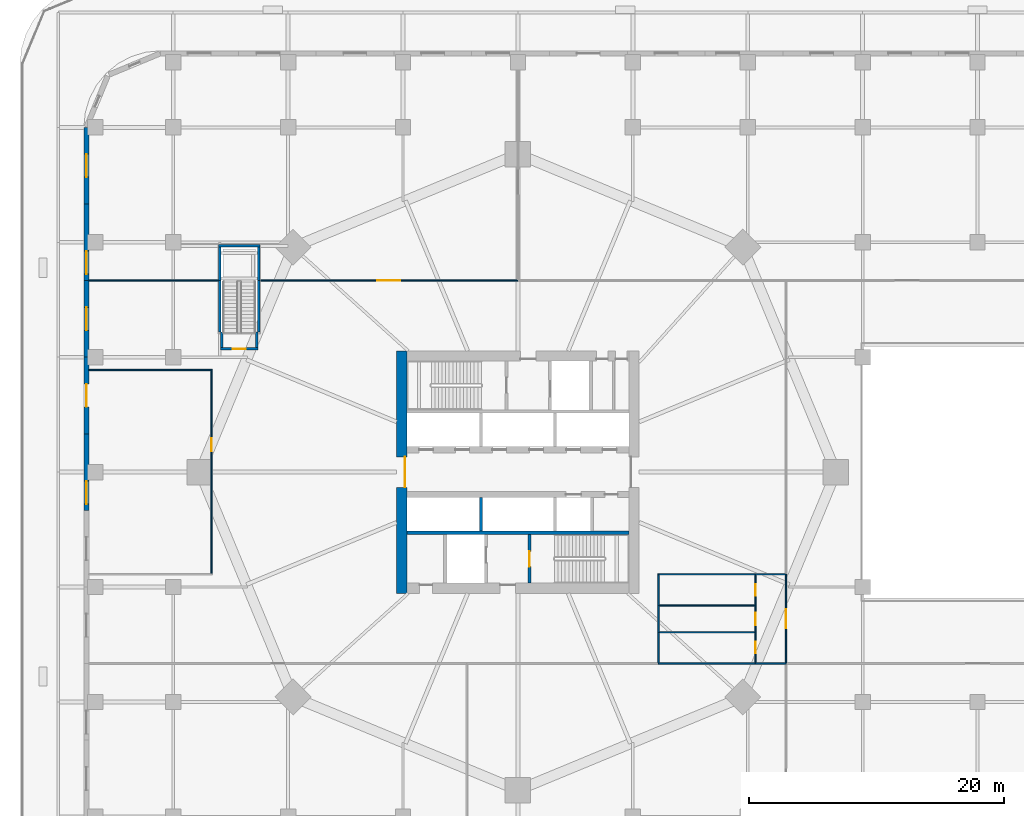
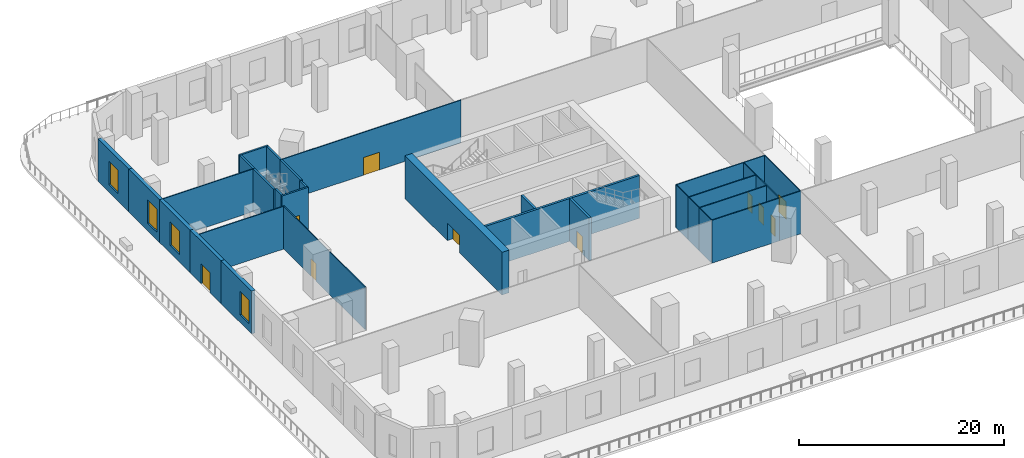
# One storey, part 5 of 20: 34 walls, 10 doors, 4 windows, 14 openings.
"""IFC4 building model written with IfcOpenShell, lengths in metres."""

from ifc_helpers import new_model, si_unit, direction, frame, frame_2d, origin, place, context, subcontext, project, spatial, rectangle, extrude, material, layer, layer_set, type_object, element, fill, save


model = new_model("IFC4")

# Units and contexts
model_context = context("Model", 3, precision=1e-05, world=origin(), true_north=direction((0.0, 1.0)))
body_context = subcontext(model_context, "Body", "Model", "MODEL_VIEW")
ifc_project = project(units=[si_unit("LENGTHUNIT", "METRE"), si_unit("AREAUNIT", "SQUARE_METRE"), si_unit("VOLUMEUNIT", "CUBIC_METRE"), si_unit("PLANEANGLEUNIT", "RADIAN"), si_unit("MASSUNIT", "GRAM", prefix="KILO")], contexts=[model_context])

# Site, building, storey
site_placement = place(None, origin())
site = spatial("IfcSite", under=ifc_project, at=site_placement, CompositionType="ELEMENT")
building_placement = place(site_placement, origin())
building = spatial("IfcBuilding", under=site, at=building_placement, Name="Ogive Gate Towers", CompositionType="ELEMENT")
storey_placement = place(building_placement, frame((0.0, 0.0, 7.199951171875)))
storey = spatial("IfcBuildingStorey", under=building, at=storey_placement, Name="L01", CompositionType="ELEMENT", Elevation=7.199951171875)

# Wall, opening, door
ifc_material_1 = material(Name="Concrete C60/75", Category="concrete")
ifc_layer_1 = layer(ifc_material_1, 0.800048828125)
ifc_layer_set_1 = layer_set([ifc_layer_1], Name="Core wall 800 mm")
wall_type_1 = type_object("IfcWallType", Name="Core wall 800 mm", PredefinedType="SHEAR", material=ifc_layer_set_1)
wall_1_placement = place(storey_placement, frame((-45.10009765625, -9.5, 0.0), z_axis=(0.0, 0.0, 1.0), x_axis=(0.0, 1.0, 0.0)))
wall_1 = element("IfcWall", 1, at=wall_1_placement, inside=storey, type_object=wall_type_1, Name="T1 L01 Core wall 800 mm", PredefinedType="SHEAR", context=body_context, shape_type="SweptSolid", body=[
    extrude(rectangle(XDim=19.0, YDim=0.800048828125, at=frame_2d((9.5, 0.0))), origin(), (0.0, 0.0, 1.0), 5.10009765625),
])
opening_1_placement = place(wall_1_placement, frame((8.300048828125, 0.0, 0.0)))
opening_1 = element("IfcOpeningElement", 2, at=opening_1_placement, cuts=wall_1, Name="Opening KD-T1-L01-01", PredefinedType="OPENING", context=body_context, shape_type="SweptSolid", body=[
    extrude(rectangle(XDim=2.39990234375, YDim=2.10009765625, at=frame_2d((1.199951171875, 1.050048828125))), frame((0.0, 0.41015625, 0.0), z_axis=(0.0, -1.0, 0.0), x_axis=(1.0, 0.0, 0.0)), (0.0, 0.0, 1.0), 0.820068359375),
])
ifc_material_2 = material(Name="Steel fire door", Category="steel")
door_type_1 = type_object("IfcDoorType", Name="Core double door FD60S 2400 x 2100", OperationType="DOUBLE_DOOR_SINGLE_SWING", PredefinedType="DOOR", material=ifc_material_2)
door_1_placement = place(opening_1_placement, origin())
door_1 = element("IfcDoor", 3, at=door_1_placement, inside=storey, type_object=door_type_1, Name="T1 L01 Core door double", OperationType="DOUBLE_DOOR_SINGLE_SWING", OverallHeight=2.10009765625, OverallWidth=2.39990234375, PredefinedType="DOOR", context=body_context, shape_type="SweptSolid", body=[
    extrude(rectangle(XDim=2.39990234375, YDim=2.10009765625, at=frame_2d((1.199951171875, 1.050048828125))), frame((0.0, -0.22509765625, 0.0), z_axis=(0.0, -1.0, 0.0), x_axis=(1.0, 0.0, 0.0)), (0.0, 0.0, 1.0), 0.050048828125),
])
fill(opening_1, door_1)

# Wall
ifc_material_3 = material(Name="Gypsum board partition")
ifc_layer_2 = layer(ifc_material_3, 0.10009765625)
ifc_layer_set_2 = layer_set([ifc_layer_2], Name="Partition wall 100")
wall_type_2 = type_object("IfcWallType", Name="Partition wall 100", PredefinedType="PARTITIONING", material=ifc_layer_set_2)
wall_2_placement = place(storey_placement, frame((-69.60009765625, 15.0, 0.0), z_axis=(0.0, 0.0, 1.0), x_axis=(1.0, 0.0, 0.0)))
element("IfcWall", 4, at=wall_2_placement, inside=storey, type_object=wall_type_2, Name="L01 partition 023", PredefinedType="PARTITIONING", context=body_context, shape_type="SweptSolid", body=[
    extrude(rectangle(XDim=10.150146484375, YDim=0.10009765625, at=frame_2d((5.0751953125, 0.0))), origin(), (0.0, 0.0, 1.0), 5.10009765625),
])

# Wall, opening, door
wall_3_placement = place(storey_placement, frame((-56.199951171875, 15.0, 0.0), z_axis=(0.0, 0.0, 1.0), x_axis=(1.0, 0.0, 0.0)))
wall_3 = element("IfcWall", 5, at=wall_3_placement, inside=storey, type_object=wall_type_2, Name="L01 partition 024", PredefinedType="PARTITIONING", context=body_context, shape_type="SweptSolid", body=[
    extrude(rectangle(XDim=20.199951171875, YDim=0.10009765625, at=frame_2d((10.10009765625, 0.0))), origin(), (0.0, 0.0, 1.0), 5.10009765625),
])
opening_2_placement = place(wall_3_placement, frame((9.199951171875, 0.0, 0.0)))
opening_2 = element("IfcOpeningElement", 6, at=opening_2_placement, cuts=wall_3, Name="Opening PO152", PredefinedType="OPENING", context=body_context, shape_type="SweptSolid", body=[
    extrude(rectangle(XDim=1.800048828125, YDim=2.10009765625, at=frame_2d((0.89990234375, 1.050048828125))), frame((0.0, 0.06005859375, 0.0), z_axis=(0.0, -1.0, 0.0), x_axis=(1.0, 0.0, 0.0)), (0.0, 0.0, 1.0), 0.1201171875),
])
ifc_material_4 = material(Name="Timber door", Category="wood")
door_type_2 = type_object("IfcDoorType", Name="Double door 1800 x 2100", OperationType="NOTDEFINED", PredefinedType="DOOR", material=ifc_material_4)
door_2_placement = place(opening_2_placement, origin())
door_2 = element("IfcDoor", 7, at=door_2_placement, inside=storey, type_object=door_type_2, Name="Door PO152", OperationType="DOUBLE_DOOR_DOUBLE_SWING", OverallHeight=2.10009765625, OverallWidth=1.800048828125, PredefinedType="DOOR", context=body_context, shape_type="SweptSolid", body=[
    extrude(rectangle(XDim=1.800048828125, YDim=2.10009765625, at=frame_2d((0.89990234375, 1.050048828125))), frame((0.0, 0.02490234375, 0.0), z_axis=(0.0, -1.0, 0.0), x_axis=(1.0, 0.0, 0.0)), (0.0, 0.0, 1.0), 0.050048828125),
])
fill(opening_2, door_2)

wall_4_placement = place(storey_placement, frame((-15.0, -14.949951171875, 0.0), z_axis=(0.0, 0.0, 1.0), x_axis=(0.0, 1.0, 0.0)))
wall_4 = element("IfcWall", 8, at=wall_4_placement, inside=storey, type_object=wall_type_2, Name="L01 partition 029", PredefinedType="PARTITIONING", context=body_context, shape_type="SweptSolid", body=[
    extrude(rectangle(XDim=6.949951171875, YDim=0.10009765625, at=frame_2d((3.47509765625, 0.0))), origin(), (0.0, 0.0, 1.0), 5.10009765625),
])
opening_3_placement = place(wall_4_placement, frame((2.72509765625, 0.0, 0.0)))
opening_3 = element("IfcOpeningElement", 9, at=opening_3_placement, cuts=wall_4, Name="Opening PO147", PredefinedType="OPENING", context=body_context, shape_type="SweptSolid", body=[
    extrude(rectangle(XDim=1.5, YDim=2.10009765625, at=frame_2d((0.75, 1.050048828125))), frame((0.0, 0.06005859375, 0.0), z_axis=(0.0, -1.0, 0.0), x_axis=(1.0, 0.0, 0.0)), (0.0, 0.0, 1.0), 0.1201171875),
])
door_type_3 = type_object("IfcDoorType", Name="Double door 1500 x 2100", OperationType="NOTDEFINED", PredefinedType="DOOR", material=ifc_material_4)
door_3_placement = place(opening_3_placement, origin())
door_3 = element("IfcDoor", 10, at=door_3_placement, inside=storey, type_object=door_type_3, Name="Door PO147", OperationType="DOUBLE_DOOR_DOUBLE_SWING", OverallHeight=2.10009765625, OverallWidth=1.5, PredefinedType="DOOR", context=body_context, shape_type="SweptSolid", body=[
    extrude(rectangle(XDim=1.5, YDim=2.10009765625, at=frame_2d((0.75, 1.050048828125))), frame((0.0, 0.02490234375, 0.0), z_axis=(0.0, -1.0, 0.0), x_axis=(1.0, 0.0, 0.0)), (0.0, 0.0, 1.0), 0.050048828125),
])
fill(opening_3, door_3)

# Walls
wall_5_placement = place(storey_placement, frame((-17.39990234375, -15.0, 0.0), z_axis=(0.0, 0.0, 1.0), x_axis=(1.0, 0.0, 0.0)))
element("IfcWall", 11, at=wall_5_placement, inside=storey, type_object=wall_type_2, Name="L01 partition 037", PredefinedType="PARTITIONING", context=body_context, shape_type="SweptSolid", body=[
    extrude(rectangle(XDim=2.39990234375, YDim=0.10009765625, at=frame_2d((1.199951171875, 0.0))), origin(), (0.0, 0.0, 1.0), 5.10009765625),
])
wall_6_placement = place(storey_placement, frame((-25.0, -15.0, 0.0), z_axis=(0.0, 0.0, 1.0), x_axis=(1.0, 0.0, 0.0)))
element("IfcWall", 12, at=wall_6_placement, inside=storey, type_object=wall_type_2, Name="L01 partition 038", PredefinedType="PARTITIONING", context=body_context, shape_type="SweptSolid", body=[
    extrude(rectangle(XDim=7.60009765625, YDim=0.10009765625, at=frame_2d((3.800048828125, 0.0))), origin(), (0.0, 0.0, 1.0), 5.10009765625),
])
wall_7_placement = place(storey_placement, frame((-69.60009765625, 8.0, 0.0), z_axis=(0.0, 0.0, 1.0), x_axis=(1.0, 0.0, 0.0)))
element("IfcWall", 13, at=wall_7_placement, inside=storey, type_object=wall_type_2, Name="L01 partition 045", PredefinedType="PARTITIONING", context=body_context, shape_type="SweptSolid", body=[
    extrude(rectangle(XDim=9.650146484375, YDim=0.10009765625, at=frame_2d((4.8251953125, 0.0))), origin(), (0.0, 0.0, 1.0), 5.10009765625),
])

# Wall, opening, door
wall_8_placement = place(storey_placement, frame((-60.0, -7.949951171875, 0.0), z_axis=(0.0, 0.0, 1.0), x_axis=(0.0, 1.0, 0.0)))
wall_8 = element("IfcWall", 14, at=wall_8_placement, inside=storey, type_object=wall_type_2, Name="L01 partition 046", PredefinedType="PARTITIONING", context=body_context, shape_type="SweptSolid", body=[
    extrude(rectangle(XDim=15.89990234375, YDim=0.10009765625, at=frame_2d((7.949951171875, 0.0))), origin(), (0.0, 0.0, 1.0), 5.10009765625),
])
opening_4_placement = place(wall_8_placement, frame((9.594970703125, 0.0, 0.0)))
opening_4 = element("IfcOpeningElement", 15, at=opening_4_placement, cuts=wall_8, Name="Opening PO145", PredefinedType="OPENING", context=body_context, shape_type="SweptSolid", body=[
    extrude(rectangle(XDim=1.0, YDim=2.10009765625, at=frame_2d((0.5, 1.050048828125))), frame((0.0, 0.06005859375, 0.0), z_axis=(0.0, -1.0, 0.0), x_axis=(1.0, 0.0, 0.0)), (0.0, 0.0, 1.0), 0.1201171875),
])
door_type_4 = type_object("IfcDoorType", Name="Door 1000 x 2100", OperationType="NOTDEFINED", PredefinedType="DOOR", material=ifc_material_4)
door_4_placement = place(opening_4_placement, origin())
door_4 = element("IfcDoor", 16, at=door_4_placement, inside=storey, type_object=door_type_4, Name="Door PO145", OperationType="SINGLE_SWING_LEFT", OverallHeight=2.10009765625, OverallWidth=1.0, PredefinedType="DOOR", context=body_context, shape_type="SweptSolid", body=[
    extrude(rectangle(XDim=1.0, YDim=2.10009765625, at=frame_2d((0.5, 1.050048828125))), frame((0.0, 0.02490234375, 0.0), z_axis=(0.0, -1.0, 0.0), x_axis=(1.0, 0.0, 0.0)), (0.0, 0.0, 1.0), 0.050048828125),
])
fill(opening_4, door_4)

wall_9_placement = place(storey_placement, frame((-17.39990234375, -14.949951171875, 0.0), z_axis=(0.0, 0.0, 1.0), x_axis=(0.0, 1.0, 0.0)))
wall_9 = element("IfcWall", 17, at=wall_9_placement, inside=storey, type_object=wall_type_2, Name="L01 partition 050", PredefinedType="PARTITIONING", context=body_context, shape_type="SweptSolid", body=[
    extrude(rectangle(XDim=2.39990234375, YDim=0.10009765625, at=frame_2d((1.199951171875, 0.0))), origin(), (0.0, 0.0, 1.0), 5.10009765625),
])
opening_5_placement = place(wall_9_placement, frame((0.75, 0.0, 0.0)))
opening_5 = element("IfcOpeningElement", 18, at=opening_5_placement, cuts=wall_9, Name="Opening PO148", PredefinedType="OPENING", context=body_context, shape_type="SweptSolid", body=[
    extrude(rectangle(XDim=0.89990234375, YDim=2.10009765625, at=frame_2d((0.449951171875, 1.050048828125))), frame((0.0, 0.06005859375, 0.0), z_axis=(0.0, -1.0, 0.0), x_axis=(1.0, 0.0, 0.0)), (0.0, 0.0, 1.0), 0.1201171875),
])
door_type_5 = type_object("IfcDoorType", Name="Door 900 x 2100", OperationType="NOTDEFINED", PredefinedType="DOOR", material=ifc_material_4)
door_5_placement = place(opening_5_placement, origin())
door_5 = element("IfcDoor", 19, at=door_5_placement, inside=storey, type_object=door_type_5, Name="Door PO148", OperationType="SINGLE_SWING_RIGHT", OverallHeight=2.10009765625, OverallWidth=0.89990234375, PredefinedType="DOOR", context=body_context, shape_type="SweptSolid", body=[
    extrude(rectangle(XDim=0.89990234375, YDim=2.10009765625, at=frame_2d((0.449951171875, 1.050048828125))), frame((0.0, 0.02490234375, 0.0), z_axis=(0.0, -1.0, 0.0), x_axis=(1.0, 0.0, 0.0)), (0.0, 0.0, 1.0), 0.050048828125),
])
fill(opening_5, door_5)

wall_10_placement = place(storey_placement, frame((-17.39990234375, -12.550048828125, 0.0), z_axis=(0.0, 0.0, 1.0), x_axis=(0.0, 1.0, 0.0)))
wall_10 = element("IfcWall", 20, at=wall_10_placement, inside=storey, type_object=wall_type_2, Name="L01 partition 051", PredefinedType="PARTITIONING", context=body_context, shape_type="SweptSolid", body=[
    extrude(rectangle(XDim=2.10009765625, YDim=0.10009765625, at=frame_2d((1.050048828125, 0.0))), origin(), (0.0, 0.0, 1.0), 5.10009765625),
])
opening_6_placement = place(wall_10_placement, frame((0.550048828125, 0.0, 0.0)))
opening_6 = element("IfcOpeningElement", 21, at=opening_6_placement, cuts=wall_10, Name="Opening PO149", PredefinedType="OPENING", context=body_context, shape_type="SweptSolid", body=[
    extrude(rectangle(XDim=1.0, YDim=2.10009765625, at=frame_2d((0.5, 1.050048828125))), frame((0.0, 0.06005859375, 0.0), z_axis=(0.0, -1.0, 0.0), x_axis=(1.0, 0.0, 0.0)), (0.0, 0.0, 1.0), 0.1201171875),
])
door_6_placement = place(opening_6_placement, origin())
door_6 = element("IfcDoor", 22, at=door_6_placement, inside=storey, type_object=door_type_4, Name="Door PO149", OperationType="SINGLE_SWING_LEFT", OverallHeight=2.10009765625, OverallWidth=1.0, PredefinedType="DOOR", context=body_context, shape_type="SweptSolid", body=[
    extrude(rectangle(XDim=1.0, YDim=2.10009765625, at=frame_2d((0.5, 1.050048828125))), frame((0.0, 0.02490234375, 0.0), z_axis=(0.0, -1.0, 0.0), x_axis=(1.0, 0.0, 0.0)), (0.0, 0.0, 1.0), 0.050048828125),
])
fill(opening_6, door_6)

wall_11_placement = place(storey_placement, frame((-17.39990234375, -10.449951171875, 0.0), z_axis=(0.0, 0.0, 1.0), x_axis=(0.0, 1.0, 0.0)))
wall_11 = element("IfcWall", 23, at=wall_11_placement, inside=storey, type_object=wall_type_2, Name="L01 partition 052", PredefinedType="PARTITIONING", context=body_context, shape_type="SweptSolid", body=[
    extrude(rectangle(XDim=2.39990234375, YDim=0.10009765625, at=frame_2d((1.199951171875, 0.0))), origin(), (0.0, 0.0, 1.0), 5.10009765625),
])
opening_7_placement = place(wall_11_placement, frame((0.75, 0.0, 0.0)))
opening_7 = element("IfcOpeningElement", 24, at=opening_7_placement, cuts=wall_11, Name="Opening PO150", PredefinedType="OPENING", context=body_context, shape_type="SweptSolid", body=[
    extrude(rectangle(XDim=0.89990234375, YDim=2.10009765625, at=frame_2d((0.449951171875, 1.050048828125))), frame((0.0, 0.06005859375, 0.0), z_axis=(0.0, -1.0, 0.0), x_axis=(1.0, 0.0, 0.0)), (0.0, 0.0, 1.0), 0.1201171875),
])
door_7_placement = place(opening_7_placement, origin())
door_7 = element("IfcDoor", 25, at=door_7_placement, inside=storey, type_object=door_type_5, Name="Door PO150", OperationType="SINGLE_SWING_RIGHT", OverallHeight=2.10009765625, OverallWidth=0.89990234375, PredefinedType="DOOR", context=body_context, shape_type="SweptSolid", body=[
    extrude(rectangle(XDim=0.89990234375, YDim=2.10009765625, at=frame_2d((0.449951171875, 1.050048828125))), frame((0.0, 0.02490234375, 0.0), z_axis=(0.0, -1.0, 0.0), x_axis=(1.0, 0.0, 0.0)), (0.0, 0.0, 1.0), 0.050048828125),
])
fill(opening_7, door_7)

# Walls
wall_12_placement = place(storey_placement, frame((-17.39990234375, -8.0, 0.0), z_axis=(0.0, 0.0, 1.0), x_axis=(1.0, 0.0, 0.0)))
element("IfcWall", 26, at=wall_12_placement, inside=storey, type_object=wall_type_2, Name="L01 partition 053", PredefinedType="PARTITIONING", context=body_context, shape_type="SweptSolid", body=[
    extrude(rectangle(XDim=2.349853515625, YDim=0.10009765625, at=frame_2d((1.1748046875, 0.0))), origin(), (0.0, 0.0, 1.0), 5.10009765625),
])
wall_13_placement = place(storey_placement, frame((-24.949951171875, -12.550048828125, 0.0), z_axis=(0.0, 0.0, 1.0), x_axis=(1.0, 0.0, 0.0)))
element("IfcWall", 27, at=wall_13_placement, inside=storey, type_object=wall_type_2, Name="L01 partition 054", PredefinedType="PARTITIONING", context=body_context, shape_type="SweptSolid", body=[
    extrude(rectangle(XDim=7.5, YDim=0.10009765625, at=frame_2d((3.75, 0.0))), origin(), (0.0, 0.0, 1.0), 5.10009765625),
])
wall_14_placement = place(storey_placement, frame((-25.0, -14.949951171875, 0.0), z_axis=(0.0, 0.0, 1.0), x_axis=(0.0, 1.0, 0.0)))
element("IfcWall", 28, at=wall_14_placement, inside=storey, type_object=wall_type_2, Name="L01 partition 055", PredefinedType="PARTITIONING", context=body_context, shape_type="SweptSolid", body=[
    extrude(rectangle(XDim=2.39990234375, YDim=0.10009765625, at=frame_2d((1.199951171875, 0.0))), origin(), (0.0, 0.0, 1.0), 5.10009765625),
])
wall_15_placement = place(storey_placement, frame((-24.949951171875, -10.449951171875, 0.0), z_axis=(0.0, 0.0, 1.0), x_axis=(1.0, 0.0, 0.0)))
element("IfcWall", 29, at=wall_15_placement, inside=storey, type_object=wall_type_2, Name="L01 partition 056", PredefinedType="PARTITIONING", context=body_context, shape_type="SweptSolid", body=[
    extrude(rectangle(XDim=7.5, YDim=0.10009765625, at=frame_2d((3.75, 0.0))), origin(), (0.0, 0.0, 1.0), 5.10009765625),
])
wall_16_placement = place(storey_placement, frame((-25.0, -12.550048828125, 0.0), z_axis=(0.0, 0.0, 1.0), x_axis=(0.0, 1.0, 0.0)))
element("IfcWall", 30, at=wall_16_placement, inside=storey, type_object=wall_type_2, Name="L01 partition 057", PredefinedType="PARTITIONING", context=body_context, shape_type="SweptSolid", body=[
    extrude(rectangle(XDim=2.10009765625, YDim=0.10009765625, at=frame_2d((1.050048828125, 0.0))), origin(), (0.0, 0.0, 1.0), 5.10009765625),
])
wall_17_placement = place(storey_placement, frame((-25.050048828125, -8.0, 0.0), z_axis=(0.0, 0.0, 1.0), x_axis=(1.0, 0.0, 0.0)))
element("IfcWall", 31, at=wall_17_placement, inside=storey, type_object=wall_type_2, Name="L01 partition 058", PredefinedType="PARTITIONING", context=body_context, shape_type="SweptSolid", body=[
    extrude(rectangle(XDim=7.650146484375, YDim=0.10009765625, at=frame_2d((3.8251953125, 0.0))), origin(), (0.0, 0.0, 1.0), 5.10009765625),
])
wall_18_placement = place(storey_placement, frame((-25.0, -10.449951171875, 0.0), z_axis=(0.0, 0.0, 1.0), x_axis=(0.0, 1.0, 0.0)))
element("IfcWall", 32, at=wall_18_placement, inside=storey, type_object=wall_type_2, Name="L01 partition 059", PredefinedType="PARTITIONING", context=body_context, shape_type="SweptSolid", body=[
    extrude(rectangle(XDim=2.39990234375, YDim=0.10009765625, at=frame_2d((1.199951171875, 0.0))), origin(), (0.0, 0.0, 1.0), 5.10009765625),
])

# Wall, opening, window
ifc_material_5 = material(Name="Precast concrete C40/50", Category="concrete")
ifc_layer_3 = layer(ifc_material_5, 0.39990234375)
ifc_layer_set_3 = layer_set([ifc_layer_3], Name="Podium wall 400")
wall_type_3 = type_object("IfcWallType", Name="Podium wall 400", PredefinedType="SOLIDWALL", material=ifc_layer_set_3)
wall_19_placement = place(storey_placement, frame((-69.800048828125, 27.0, 0.0), z_axis=(0.0, 0.0, 1.0), x_axis=(0.0, -1.0, 0.0)))
wall_19 = element("IfcWall", 33, at=wall_19_placement, inside=storey, type_object=wall_type_3, Name="Podium wall", PredefinedType="SOLIDWALL", context=body_context, shape_type="SweptSolid", body=[
    extrude(rectangle(XDim=6.0, YDim=0.39990234375, at=frame_2d((3.0, 0.0))), origin(), (0.0, 0.0, 1.0), 5.10009765625),
])
opening_8_placement = place(wall_19_placement, frame((2.10009765625, 0.0, 0.89990234375)))
opening_8 = element("IfcOpeningElement", 34, at=opening_8_placement, cuts=wall_19, Name="Opening WN1", PredefinedType="OPENING", context=body_context, shape_type="SweptSolid", body=[
    extrude(rectangle(XDim=1.800048828125, YDim=2.800048828125, at=frame_2d((0.89990234375, 1.39990234375))), frame((0.0, 0.2099609375, 0.0), z_axis=(0.0, -1.0, 0.0), x_axis=(1.0, 0.0, 0.0)), (0.0, 0.0, 1.0), 0.419921875),
])
ifc_material_6 = material(Name="Clear glass", Category="glass")
window_type = type_object("IfcWindowType", Name="Podium window 1800 x 2800", PartitioningType="SINGLE_PANEL", PredefinedType="WINDOW", material=ifc_material_6)
window_1_placement = place(opening_8_placement, origin())
window_1 = element("IfcWindow", 35, at=window_1_placement, inside=storey, type_object=window_type, Name="Podium window", OverallHeight=2.800048828125, OverallWidth=1.800048828125, PartitioningType="SINGLE_PANEL", PredefinedType="WINDOW", context=body_context, shape_type="SweptSolid", body=[
    extrude(rectangle(XDim=1.800048828125, YDim=2.800048828125, at=frame_2d((0.89990234375, 1.39990234375))), frame((0.0, 0.030029296875, 0.0), z_axis=(0.0, -1.0, 0.0), x_axis=(1.0, 0.0, 0.0)), (0.0, 0.0, 1.0), 0.06005859375),
])
fill(opening_8, window_1)

wall_20_placement = place(storey_placement, frame((-69.800048828125, 21.0, 0.0), z_axis=(0.0, 0.0, 1.0), x_axis=(0.0, -1.0, 0.0)))
wall_20 = element("IfcWall", 36, at=wall_20_placement, inside=storey, type_object=wall_type_3, Name="Podium wall", PredefinedType="SOLIDWALL", context=body_context, shape_type="SweptSolid", body=[
    extrude(rectangle(XDim=6.0, YDim=0.39990234375, at=frame_2d((3.0, 0.0))), origin(), (0.0, 0.0, 1.0), 5.10009765625),
])
opening_9_placement = place(wall_20_placement, frame((3.699951171875, 0.0, 0.89990234375)))
opening_9 = element("IfcOpeningElement", 37, at=opening_9_placement, cuts=wall_20, Name="Opening WN1", PredefinedType="OPENING", context=body_context, shape_type="SweptSolid", body=[
    extrude(rectangle(XDim=1.800048828125, YDim=2.800048828125, at=frame_2d((0.89990234375, 1.39990234375))), frame((0.0, 0.2099609375, 0.0), z_axis=(0.0, -1.0, 0.0), x_axis=(1.0, 0.0, 0.0)), (0.0, 0.0, 1.0), 0.419921875),
])
window_2_placement = place(opening_9_placement, origin())
window_2 = element("IfcWindow", 38, at=window_2_placement, inside=storey, type_object=window_type, Name="Podium window", OverallHeight=2.800048828125, OverallWidth=1.800048828125, PartitioningType="SINGLE_PANEL", PredefinedType="WINDOW", context=body_context, shape_type="SweptSolid", body=[
    extrude(rectangle(XDim=1.800048828125, YDim=2.800048828125, at=frame_2d((0.89990234375, 1.39990234375))), frame((0.0, 0.030029296875, 0.0), z_axis=(0.0, -1.0, 0.0), x_axis=(1.0, 0.0, 0.0)), (0.0, 0.0, 1.0), 0.06005859375),
])
fill(opening_9, window_2)

wall_21_placement = place(storey_placement, frame((-69.800048828125, 15.0, 0.0), z_axis=(0.0, 0.0, 1.0), x_axis=(0.0, -1.0, 0.0)))
wall_21 = element("IfcWall", 39, at=wall_21_placement, inside=storey, type_object=wall_type_3, Name="Podium wall", PredefinedType="SOLIDWALL", context=body_context, shape_type="SweptSolid", body=[
    extrude(rectangle(XDim=6.0, YDim=0.39990234375, at=frame_2d((3.0, 0.0))), origin(), (0.0, 0.0, 1.0), 5.10009765625),
])
opening_10_placement = place(wall_21_placement, frame((2.10009765625, 0.0, 0.89990234375)))
opening_10 = element("IfcOpeningElement", 40, at=opening_10_placement, cuts=wall_21, Name="Opening WN1", PredefinedType="OPENING", context=body_context, shape_type="SweptSolid", body=[
    extrude(rectangle(XDim=1.800048828125, YDim=2.800048828125, at=frame_2d((0.89990234375, 1.39990234375))), frame((0.0, 0.2099609375, 0.0), z_axis=(0.0, -1.0, 0.0), x_axis=(1.0, 0.0, 0.0)), (0.0, 0.0, 1.0), 0.419921875),
])
window_3_placement = place(opening_10_placement, origin())
window_3 = element("IfcWindow", 41, at=window_3_placement, inside=storey, type_object=window_type, Name="Podium window", OverallHeight=2.800048828125, OverallWidth=1.800048828125, PartitioningType="SINGLE_PANEL", PredefinedType="WINDOW", context=body_context, shape_type="SweptSolid", body=[
    extrude(rectangle(XDim=1.800048828125, YDim=2.800048828125, at=frame_2d((0.89990234375, 1.39990234375))), frame((0.0, 0.030029296875, 0.0), z_axis=(0.0, -1.0, 0.0), x_axis=(1.0, 0.0, 0.0)), (0.0, 0.0, 1.0), 0.06005859375),
])
fill(opening_10, window_3)

# Wall, opening, door
wall_22_placement = place(storey_placement, frame((-69.800048828125, 9.0, 0.0), z_axis=(0.0, 0.0, 1.0), x_axis=(0.0, -1.0, 0.0)))
wall_22 = element("IfcWall", 42, at=wall_22_placement, inside=storey, type_object=wall_type_3, Name="Podium wall", PredefinedType="SOLIDWALL", context=body_context, shape_type="SweptSolid", body=[
    extrude(rectangle(XDim=6.0, YDim=0.39990234375, at=frame_2d((3.0, 0.0))), origin(), (0.0, 0.0, 1.0), 5.10009765625),
])
opening_11_placement = place(wall_22_placement, frame((2.10009765625, 0.0, 0.0)))
opening_11 = element("IfcOpeningElement", 43, at=opening_11_placement, cuts=wall_22, Name="Opening ED3-L01-04", PredefinedType="OPENING", context=body_context, shape_type="SweptSolid", body=[
    extrude(rectangle(XDim=1.800048828125, YDim=2.39990234375, at=frame_2d((0.89990234375, 1.199951171875))), frame((0.0, 0.2099609375, 0.0), z_axis=(0.0, -1.0, 0.0), x_axis=(1.0, 0.0, 0.0)), (0.0, 0.0, 1.0), 0.419921875),
])
ifc_material_7 = material(Name="Pale metal aluminium", Category="aluminium")
door_type_6 = type_object("IfcDoorType", Name="Terrace door 1800 x 2400", OperationType="DOUBLE_DOOR_SINGLE_SWING", PredefinedType="DOOR", material=ifc_material_7)
door_8_placement = place(opening_11_placement, origin())
door_8 = element("IfcDoor", 44, at=door_8_placement, inside=storey, type_object=door_type_6, Name="Exterior door", OperationType="SINGLE_SWING_LEFT", OverallHeight=2.39990234375, OverallWidth=1.800048828125, PredefinedType="DOOR", context=body_context, shape_type="SweptSolid", body=[
    extrude(rectangle(XDim=1.800048828125, YDim=2.39990234375, at=frame_2d((0.89990234375, 1.199951171875))), frame((0.0, 0.02490234375, 0.0), z_axis=(0.0, -1.0, 0.0), x_axis=(1.0, 0.0, 0.0)), (0.0, 0.0, 1.0), 0.050048828125),
])
fill(opening_11, door_8)

# Wall, opening, window
wall_23_placement = place(storey_placement, frame((-69.800048828125, 3.0, 0.0), z_axis=(0.0, 0.0, 1.0), x_axis=(0.0, -1.0, 0.0)))
wall_23 = element("IfcWall", 45, at=wall_23_placement, inside=storey, type_object=wall_type_3, Name="Podium wall", PredefinedType="SOLIDWALL", context=body_context, shape_type="SweptSolid", body=[
    extrude(rectangle(XDim=6.0, YDim=0.39990234375, at=frame_2d((3.0, 0.0))), origin(), (0.0, 0.0, 1.0), 5.10009765625),
])
opening_12_placement = place(wall_23_placement, frame((3.699951171875, 0.0, 0.89990234375)))
opening_12 = element("IfcOpeningElement", 46, at=opening_12_placement, cuts=wall_23, Name="Opening WN1", PredefinedType="OPENING", context=body_context, shape_type="SweptSolid", body=[
    extrude(rectangle(XDim=1.800048828125, YDim=2.800048828125, at=frame_2d((0.89990234375, 1.39990234375))), frame((0.0, 0.2099609375, 0.0), z_axis=(0.0, -1.0, 0.0), x_axis=(1.0, 0.0, 0.0)), (0.0, 0.0, 1.0), 0.419921875),
])
window_4_placement = place(opening_12_placement, origin())
window_4 = element("IfcWindow", 47, at=window_4_placement, inside=storey, type_object=window_type, Name="Podium window", OverallHeight=2.800048828125, OverallWidth=1.800048828125, PartitioningType="SINGLE_PANEL", PredefinedType="WINDOW", context=body_context, shape_type="SweptSolid", body=[
    extrude(rectangle(XDim=1.800048828125, YDim=2.800048828125, at=frame_2d((0.89990234375, 1.39990234375))), frame((0.0, 0.030029296875, 0.0), z_axis=(0.0, -1.0, 0.0), x_axis=(1.0, 0.0, 0.0)), (0.0, 0.0, 1.0), 0.06005859375),
])
fill(opening_12, window_4)

# Walls
ifc_layer_4 = layer(ifc_material_1, 0.25)
ifc_layer_set_4 = layer_set([ifc_layer_4], Name="Shaft wall 250 mm")
wall_type_4 = type_object("IfcWallType", Name="Shaft wall 250 mm", PredefinedType="SHEAR", material=ifc_layer_set_4)
wall_24_placement = place(storey_placement, frame((-44.699951171875, -4.75, 0.0), z_axis=(0.0, 0.0, 1.0), x_axis=(1.0, 0.0, 0.0)))
element("IfcWall", 48, at=wall_24_placement, inside=storey, type_object=wall_type_4, Name="T1 L01 Shaft wall 250 mm", PredefinedType="SHEAR", context=body_context, shape_type="SweptSolid", body=[
    extrude(rectangle(XDim=17.39990234375, YDim=0.25, at=frame_2d((8.699951171875, 0.0))), origin(), (0.0, 0.0, 1.0), 5.10009765625),
])
wall_25_placement = place(storey_placement, frame((-38.89990234375, -4.625, 0.0), z_axis=(0.0, 0.0, 1.0), x_axis=(0.0, 1.0, 0.0)))
element("IfcWall", 49, at=wall_25_placement, inside=storey, type_object=wall_type_4, Name="T1 L01 Shaft wall 250 mm", PredefinedType="SHEAR", context=body_context, shape_type="SweptSolid", body=[
    extrude(rectangle(XDim=2.625, YDim=0.25, at=frame_2d((1.3125, 0.0))), origin(), (0.0, 0.0, 1.0), 5.10009765625),
])

# Wall, opening, door
wall_26_placement = place(storey_placement, frame((-35.10009765625, -8.699951171875, 0.0), z_axis=(0.0, 0.0, 1.0), x_axis=(0.0, 1.0, 0.0)))
wall_26 = element("IfcWall", 50, at=wall_26_placement, inside=storey, type_object=wall_type_4, Name="T1 L01 Shaft wall 250 mm", PredefinedType="SHEAR", context=body_context, shape_type="SweptSolid", body=[
    extrude(rectangle(XDim=3.824951171875, YDim=0.25, at=frame_2d((1.91259765625, 0.0))), origin(), (0.0, 0.0, 1.0), 5.10009765625),
])
opening_13_placement = place(wall_26_placement, frame((1.300048828125, 0.0, 0.0)))
opening_13 = element("IfcOpeningElement", 51, at=opening_13_placement, cuts=wall_26, Name="Opening KD-T1-L01-14", PredefinedType="OPENING", context=body_context, shape_type="SweptSolid", body=[
    extrude(rectangle(XDim=1.199951171875, YDim=2.10009765625, at=frame_2d((0.60009765625, 1.050048828125))), frame((0.0, 0.135009765625, 0.0), z_axis=(0.0, -1.0, 0.0), x_axis=(1.0, 0.0, 0.0)), (0.0, 0.0, 1.0), 0.27001953125),
])
door_type_7 = type_object("IfcDoorType", Name="Core door FD60S 1200 x 2100", OperationType="NOTDEFINED", PredefinedType="DOOR", material=ifc_material_2)
door_9_placement = place(opening_13_placement, origin())
door_9 = element("IfcDoor", 52, at=door_9_placement, inside=storey, type_object=door_type_7, Name="T1 L01 Stair door", OperationType="SINGLE_SWING_LEFT", OverallHeight=2.10009765625, OverallWidth=1.199951171875, PredefinedType="DOOR", context=body_context, shape_type="SweptSolid", body=[
    extrude(rectangle(XDim=1.199951171875, YDim=2.10009765625, at=frame_2d((0.60009765625, 1.050048828125))), frame((0.0, 0.02490234375, 0.0), z_axis=(0.0, -1.0, 0.0), x_axis=(1.0, 0.0, 0.0)), (0.0, 0.0, 1.0), 0.050048828125),
])
fill(opening_13, door_9)

# Walls
ifc_material_8 = material(Name="Reinforced concrete C32/40", Category="concrete")
ifc_layer_5 = layer(ifc_material_8, 0.199951171875)
ifc_layer_set_5 = layer_set([ifc_layer_5], Name="Stair shaft wall 200")
wall_type_5 = type_object("IfcWallType", Name="Stair shaft wall 200", PredefinedType="SOLIDWALL", material=ifc_layer_set_5)
wall_27_placement = place(storey_placement, frame((-59.449951171875, 17.719970703125, 0.0), z_axis=(0.0, 0.0, 1.0), x_axis=(1.0, 0.0, 0.0)))
element("IfcWall", 53, at=wall_27_placement, inside=storey, type_object=wall_type_5, Name="L01 stair shaft wall 001", PredefinedType="SOLIDWALL", context=body_context, shape_type="SweptSolid", body=[
    extrude(rectangle(XDim=3.25, YDim=0.199951171875, at=frame_2d((1.625, 0.0))), origin(), (0.0, 0.0, 1.0), 5.10009765625),
])
for number, where, z_axis, x_axis, name in (
    (54, (-59.35009765625, 15.0, 0.0), (0.0, 0.0, 1.0), (0.0, 1.0, 0.0), "L01 stair shaft wall 002"),
    (55, (-56.300048828125, 15.0, 0.0), (0.0, 0.0, 1.0), (0.0, 1.0, 0.0), "L01 stair shaft wall 003"),
):
    element("IfcWall", number, at=place(storey_placement, frame(where, z_axis=z_axis, x_axis=x_axis)), inside=storey, type_object=wall_type_5, Name=name, PredefinedType="SOLIDWALL", context=body_context, shape_type="SweptSolid", body=[
        extrude(rectangle(XDim=2.6201171875, YDim=0.199951171875, at=frame_2d((1.31005859375, 0.0))), origin(), (0.0, 0.0, 1.0), 5.10009765625),
    ])

# Wall, opening, door
wall_28_placement = place(storey_placement, frame((-59.300048828125, 9.64990234375, 0.0), z_axis=(0.0, 0.0, 1.0), x_axis=(1.0, 0.0, 0.0)))
wall_28 = element("IfcWall", 56, at=wall_28_placement, inside=storey, type_object=wall_type_5, Name="L01 stair shaft wall 004", PredefinedType="SOLIDWALL", context=body_context, shape_type="SweptSolid", body=[
    extrude(rectangle(XDim=2.949951171875, YDim=0.199951171875, at=frame_2d((1.47509765625, 0.0))), origin(), (0.0, 0.0, 1.0), 5.10009765625),
])
opening_14_placement = place(wall_28_placement, frame((0.97509765625, 0.0, 0.0)))
opening_14 = element("IfcOpeningElement", 57, at=opening_14_placement, cuts=wall_28, Name="Opening PO132", PredefinedType="OPENING", context=body_context, shape_type="SweptSolid", body=[
    extrude(rectangle(XDim=1.0, YDim=2.10009765625, at=frame_2d((0.5, 1.050048828125))), frame((0.0, 0.10986328125, 0.0), z_axis=(0.0, -1.0, 0.0), x_axis=(1.0, 0.0, 0.0)), (0.0, 0.0, 1.0), 0.219970703125),
])
door_type_8 = type_object("IfcDoorType", Name="Interior fire door FD120S 1000 x 2100", OperationType="NOTDEFINED", PredefinedType="DOOR", material=ifc_material_2)
door_10_placement = place(opening_14_placement, origin())
door_10 = element("IfcDoor", 58, at=door_10_placement, inside=storey, type_object=door_type_8, Name="Door PO132", OperationType="SINGLE_SWING_RIGHT", OverallHeight=2.10009765625, OverallWidth=1.0, PredefinedType="DOOR", context=body_context, shape_type="SweptSolid", body=[
    extrude(rectangle(XDim=1.0, YDim=2.10009765625, at=frame_2d((0.5, 1.050048828125))), frame((0.0, 0.02490234375, 0.0), z_axis=(0.0, -1.0, 0.0), x_axis=(1.0, 0.0, 0.0)), (0.0, 0.0, 1.0), 0.050048828125),
])
fill(opening_14, door_10)

# Walls
wall_29_placement = place(storey_placement, frame((-59.35009765625, 10.965087890625, 0.0), z_axis=(0.0, 0.0, 1.0), x_axis=(0.0, 1.0, 0.0)))
element("IfcWall", 59, at=wall_29_placement, inside=storey, type_object=wall_type_5, Name="L01 stair shaft wall 005", PredefinedType="SOLIDWALL", context=body_context, shape_type="SweptSolid", body=[
    extrude(rectangle(XDim=4.034912109375, YDim=0.199951171875, at=frame_2d((2.017578125, 0.0))), origin(), (0.0, 0.0, 1.0), 5.10009765625),
])
for number, where, z_axis, x_axis, name in (
    (60, (-59.199951171875, 9.75, 0.0), (0.0, 0.0, 1.0), (0.0, 1.0, 0.0), "L01 stair shaft wall 006"),
    (61, (-56.449951171875, 9.75, 0.0), (0.0, 0.0, 1.0), (0.0, 1.0, 0.0), "L01 stair shaft wall 007"),
):
    element("IfcWall", number, at=place(storey_placement, frame(where, z_axis=z_axis, x_axis=x_axis)), inside=storey, type_object=wall_type_5, Name=name, PredefinedType="SOLIDWALL", context=body_context, shape_type="SweptSolid", body=[
        extrude(rectangle(XDim=1.215087890625, YDim=0.199951171875, at=frame_2d((0.607421875, 0.0))), origin(), (0.0, 0.0, 1.0), 5.10009765625),
    ])
wall_30_placement = place(storey_placement, frame((-56.300048828125, 10.965087890625, 0.0), z_axis=(0.0, 0.0, 1.0), x_axis=(0.0, 1.0, 0.0)))
element("IfcWall", 62, at=wall_30_placement, inside=storey, type_object=wall_type_5, Name="L01 stair shaft wall 008", PredefinedType="SOLIDWALL", context=body_context, shape_type="SweptSolid", body=[
    extrude(rectangle(XDim=4.034912109375, YDim=0.199951171875, at=frame_2d((2.017578125, 0.0))), origin(), (0.0, 0.0, 1.0), 5.10009765625),
])

save(model, "model.ifc")
